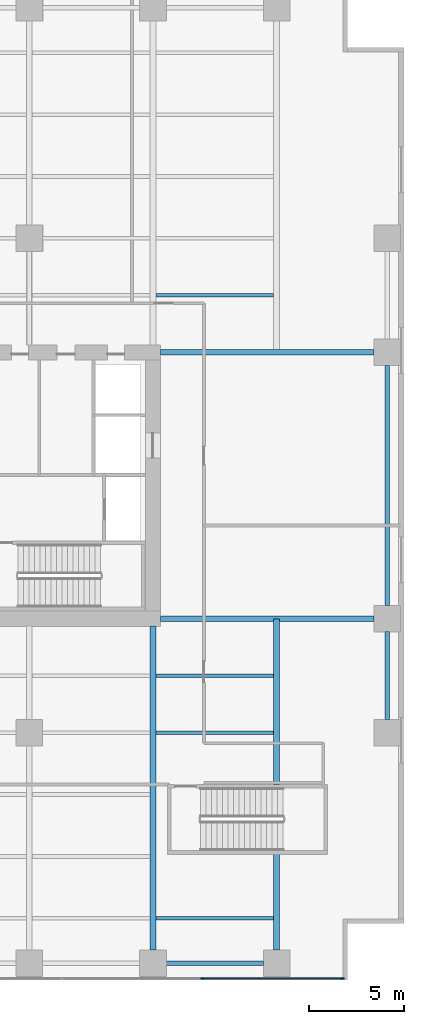
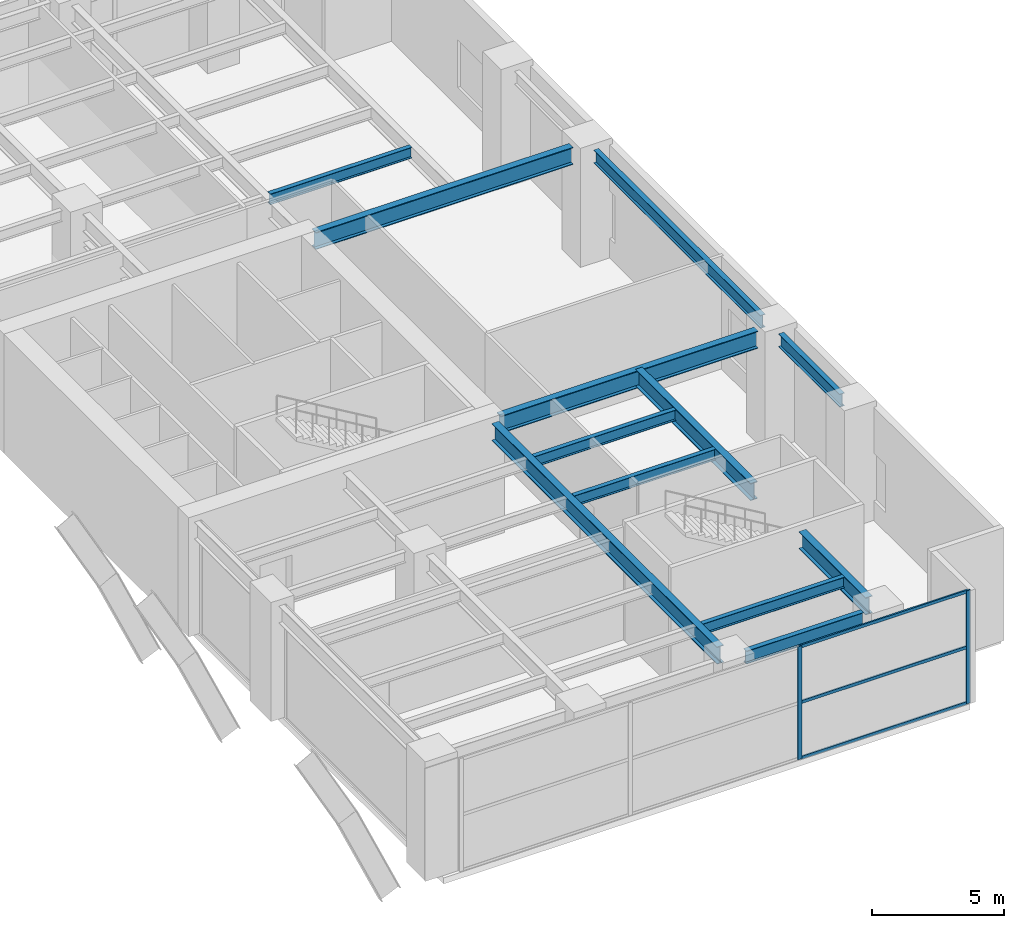
# One storey, part 7 of 17: 12 beams, 5 members, 1 element without a shape of its own.
"""IFC4 building model written with IfcOpenShell, lengths in metres."""

from ifc_helpers import new_model, si_unit, direction, frame, origin, origin_2d, place, context, subcontext, project, spatial, rectangle, i_section, extrude, material, layer, layer_set, material_profile, profile_set, type_object, element, aggregate, save


model = new_model("IFC4")

# Units and contexts
model_context = context("Model", 3, precision=1e-05, world=origin(), true_north=direction((0.0, 1.0)))
body_context = subcontext(model_context, "Body", "Model", "MODEL_VIEW")
ifc_project = project(units=[si_unit("LENGTHUNIT", "METRE"), si_unit("AREAUNIT", "SQUARE_METRE"), si_unit("VOLUMEUNIT", "CUBIC_METRE"), si_unit("PLANEANGLEUNIT", "RADIAN"), si_unit("MASSUNIT", "GRAM", prefix="KILO")], contexts=[model_context])

# Site, building, storey
site_placement = place(None, origin())
site = spatial("IfcSite", under=ifc_project, at=site_placement, CompositionType="ELEMENT")
building_placement = place(site_placement, origin())
building = spatial("IfcBuilding", under=site, at=building_placement, Name="Putna Gate Headquarters", CompositionType="ELEMENT")
storey_placement = place(building_placement, frame((0.0, 0.0, 6.0)))
storey = spatial("IfcBuildingStorey", under=building, at=storey_placement, Name="L01", CompositionType="ELEMENT", Elevation=6.0)

# Beams
ifc_material_1 = material(Name="Steel S355J2", Category="steel")
ifc_material_profile_1 = material_profile(ifc_material_1, i_section(OverallWidth=0.300048828125, OverallDepth=0.800048828125, WebThickness=0.017578125, FlangeThickness=0.032958984375, at=origin_2d()), Name="Steel S355J2")
ifc_profile_set_1 = profile_set([ifc_material_profile_1], Name="Steel S355J2")
beam_type_1 = type_object("IfcBeamType", Name="BM-GIRD-P-HEB800", PredefinedType="USERDEFINED", material=ifc_profile_set_1)
for number, where, z_axis, x_axis, name in (
    (1, (65.385009765625, 19.0, 4.820068359375), (1.0, 0.0, 0.0), (0.0, 1.0, 0.0), "L01 East Wing Girder Y19"),
    (2, (65.385009765625, 33.0, 4.820068359375), (1.0, 0.0, 0.0), (0.0, 1.0, 0.0), "L01 East Wing Girder Y33"),
):
    element("IfcBeam", number, at=place(storey_placement, frame(where, z_axis=z_axis, x_axis=x_axis)), inside=storey, type_object=beam_type_1, Name=name, ObjectType="GIRDER", PredefinedType="USERDEFINED", context=body_context, shape_type="SweptSolid", body=[
        extrude(i_section(OverallWidth=0.300048828125, OverallDepth=0.800048828125, WebThickness=0.017578125, FlangeThickness=0.032958984375, at=origin_2d()), origin(), (0.0, 0.0, 1.0), 11.2470703125),
    ])
beam_1_placement = place(storey_placement, frame((65.0, 1.568115234375, 4.820068359375), z_axis=(0.0, 1.0, 0.0), x_axis=(-1.0, 0.0, 0.0)))
element("IfcBeam", 3, at=beam_1_placement, inside=storey, type_object=beam_type_1, Name="L01 South Primary Girder X65", ObjectType="GIRDER", PredefinedType="USERDEFINED", context=body_context, shape_type="SweptSolid", body=[
    extrude(i_section(OverallWidth=0.300048828125, OverallDepth=0.800048828125, WebThickness=0.017578125, FlangeThickness=0.032958984375, at=origin_2d()), origin(), (0.0, 0.0, 1.0), 17.046875),
])
beam_2_placement = place(storey_placement, frame((71.5, 1.568115234375, 4.820068359375), z_axis=(0.0, 1.0, 0.0), x_axis=(-1.0, 0.0, 0.0)))
element("IfcBeam", 4, at=beam_2_placement, inside=storey, type_object=beam_type_1, Name="L01 South Girder X71-A", ObjectType="GIRDER", PredefinedType="USERDEFINED", context=body_context, shape_type="SweptSolid", body=[
    extrude(i_section(OverallWidth=0.300048828125, OverallDepth=0.800048828125, WebThickness=0.017578125, FlangeThickness=0.032958984375, at=origin_2d()), origin(), (0.0, 0.0, 1.0), 5.056884765625),
])
beam_3_placement = place(storey_placement, frame((71.5, 10.27490234375, 4.820068359375), z_axis=(0.0, 1.0, 0.0), x_axis=(-1.0, 0.0, 0.0)))
element("IfcBeam", 5, at=beam_3_placement, inside=storey, type_object=beam_type_1, Name="L01 South Girder X71-B", ObjectType="GIRDER", PredefinedType="USERDEFINED", context=body_context, shape_type="SweptSolid", body=[
    extrude(i_section(OverallWidth=0.300048828125, OverallDepth=0.800048828125, WebThickness=0.017578125, FlangeThickness=0.032958984375, at=origin_2d()), origin(), (0.0, 0.0, 1.0), 8.713134765625),
])
ifc_material_profile_2 = material_profile(ifc_material_1, i_section(OverallWidth=0.199951171875, OverallDepth=0.5, WebThickness=0.01025390625, FlangeThickness=0.01611328125, at=origin_2d()), Name="Steel S355J2")
ifc_profile_set_2 = profile_set([ifc_material_profile_2], Name="Steel S355J2")
beam_type_2 = type_object("IfcBeamType", Name="BM-SEC-P-IPE500", PredefinedType="BEAM", material=ifc_profile_set_2)
for number, where, z_axis, x_axis, name in (
    (6, (65.154052734375, 3.25, 4.969970703125), (1.0, 0.0, 0.0), (0.0, 1.0, 0.0), "L01 South Secondary Beam 7"),
    (7, (65.154052734375, 13.0, 4.969970703125), (1.0, 0.0, 0.0), (0.0, 1.0, 0.0), "L01 South Secondary Beam 7"),
    (8, (65.154052734375, 16.0, 4.969970703125), (1.0, 0.0, 0.0), (0.0, 1.0, 0.0), "L01 South Secondary Beam 7"),
    (9, (65.154052734375, 36.0, 4.969970703125), (1.0, 0.0, 0.0), (0.0, 1.0, 0.0), "L01 North Secondary Beam 7"),
):
    element("IfcBeam", number, at=place(storey_placement, frame(where, z_axis=z_axis, x_axis=x_axis)), inside=storey, type_object=beam_type_2, Name=name, PredefinedType="BEAM", context=body_context, shape_type="SweptSolid", body=[
        extrude(i_section(OverallWidth=0.199951171875, OverallDepth=0.5, WebThickness=0.01025390625, FlangeThickness=0.01611328125, at=origin_2d()), origin(), (0.0, 0.0, 1.0), 6.19189453125),
    ])
ifc_material_profile_3 = material_profile(ifc_material_1, i_section(OverallWidth=0.219970703125, OverallDepth=0.60009765625, WebThickness=0.011962890625, FlangeThickness=0.01904296875, at=origin_2d()), Name="Steel S355J2")
ifc_profile_set_3 = profile_set([ifc_material_profile_3], Name="Steel S355J2")
beam_type_3 = type_object("IfcBeamType", Name="BM-SPAN-P-IPE600", PredefinedType="SPANDREL", material=ifc_profile_set_3)
beam_4_placement = place(storey_placement, frame((65.68798828125, 0.8798828125, 4.919921875), z_axis=(1.0, 0.0, 0.0), x_axis=(0.0, 1.0, 0.0)))
element("IfcBeam", 10, at=beam_4_placement, inside=storey, type_object=beam_type_3, Name="L01 S Perimeter Spandrel 7", PredefinedType="SPANDREL", context=body_context, shape_type="SweptSolid", body=[
    extrude(i_section(OverallWidth=0.219970703125, OverallDepth=0.60009765625, WebThickness=0.011962890625, FlangeThickness=0.01904296875, at=origin_2d()), origin(), (0.0, 0.0, 1.0), 5.1240234375),
])
beam_5_placement = place(storey_placement, frame((77.320068359375, 13.68798828125, 4.919921875), z_axis=(0.0, 1.0, 0.0), x_axis=(-1.0, 0.0, 0.0)))
element("IfcBeam", 11, at=beam_5_placement, inside=storey, type_object=beam_type_3, Name="L01 E End Spandrel 1", PredefinedType="SPANDREL", context=body_context, shape_type="SweptSolid", body=[
    extrude(i_section(OverallWidth=0.219970703125, OverallDepth=0.60009765625, WebThickness=0.011962890625, FlangeThickness=0.01904296875, at=origin_2d()), origin(), (0.0, 0.0, 1.0), 4.6240234375),
])
beam_6_placement = place(storey_placement, frame((77.320068359375, 19.68798828125, 4.919921875), z_axis=(0.0, 1.0, 0.0), x_axis=(-1.0, 0.0, 0.0)))
element("IfcBeam", 12, at=beam_6_placement, inside=storey, type_object=beam_type_3, Name="L01 E End Spandrel 2", PredefinedType="SPANDREL", context=body_context, shape_type="SweptSolid", body=[
    extrude(i_section(OverallWidth=0.219970703125, OverallDepth=0.60009765625, WebThickness=0.011962890625, FlangeThickness=0.01904296875, at=origin_2d()), origin(), (0.0, 0.0, 1.0), 12.6240234375),
])

# Curtain wall, members
ifc_material_2 = material(Name="Anodised bronze aluminium curtain wall", Category="aluminium")
ifc_layer = layer(ifc_material_2, 0.179931640625)
ifc_layer_set = layer_set([ifc_layer], Name="Anodised bronze aluminium curtain wall")
curtain_wall_type = type_object("IfcCurtainWallType", Name="CW-SYS-POD", PredefinedType="USERDEFINED", material=ifc_layer_set)
curtain_wall_placement = place(storey_placement, origin())
curtain_wall = element("IfcCurtainWall", 13, at=curtain_wall_placement, inside=storey, type_object=curtain_wall_type, Name="L01 South East Curtain Wall", ObjectType="STICK CURTAIN WALL", PredefinedType="USERDEFINED")
ifc_material_3 = material(Name="Anodised bronze aluminium EN AW-6060", Category="aluminium")
ifc_material_profile_4 = material_profile(ifc_material_3, rectangle(XDim=0.070068359375, YDim=0.179931640625, at=origin_2d()), Name="Anodised bronze aluminium EN AW-6060")
ifc_profile_set_4 = profile_set([ifc_material_profile_4], Name="Anodised bronze aluminium EN AW-6060")
member_type_1 = type_object("IfcMemberType", Name="MULL-CWM-P", PredefinedType="MULLION", material=ifc_profile_set_4)
member_1_placement = place(storey_placement, frame((67.59326171875, 0.080078125, 0.0), z_axis=(0.0, 0.0, 1.0), x_axis=(0.0, 1.0, 0.0)))
member_1 = element("IfcMember", 14, at=member_1_placement, type_object=member_type_1, Name="CWS-P mullion 3", PredefinedType="MULLION", context=body_context, shape_type="SweptSolid", body=[
    extrude(rectangle(XDim=0.070068359375, YDim=0.179931640625, at=origin_2d()), origin(), (0.0, 0.0, 1.0), 5.219970703125),
])
member_2_placement = place(storey_placement, frame((74.965087890625, 0.080078125, 0.0), z_axis=(0.0, 0.0, 1.0), x_axis=(0.0, 1.0, 0.0)))
member_2 = element("IfcMember", 15, at=member_2_placement, type_object=member_type_1, Name="CWS-P mullion 4", PredefinedType="MULLION", context=body_context, shape_type="SweptSolid", body=[
    extrude(rectangle(XDim=0.070068359375, YDim=0.179931640625, at=origin_2d()), origin(), (0.0, 0.0, 1.0), 5.219970703125),
])
ifc_material_profile_5 = material_profile(ifc_material_3, rectangle(XDim=0.070068359375, YDim=0.139892578125, at=origin_2d()), Name="Anodised bronze aluminium EN AW-6060")
ifc_profile_set_5 = profile_set([ifc_material_profile_5], Name="Anodised bronze aluminium EN AW-6060")
member_type_2 = type_object("IfcMemberType", Name="TRAN-CWT-P", PredefinedType="USERDEFINED", material=ifc_profile_set_5)
member_3_placement = place(storey_placement, frame((67.62841796875, 0.080078125, 0.034912109375), z_axis=(1.0, 0.0, 0.0), x_axis=(0.0, 1.0, 0.0)))
member_3 = element("IfcMember", 16, at=member_3_placement, type_object=member_type_2, Name="CWS-P transom 3.1", ObjectType="TRANSOM", PredefinedType="USERDEFINED", context=body_context, shape_type="SweptSolid", body=[
    extrude(rectangle(XDim=0.070068359375, YDim=0.139892578125, at=origin_2d()), origin(), (0.0, 0.0, 1.0), 7.301513671875),
])
member_4_placement = place(storey_placement, frame((67.62841796875, 0.080078125, 2.610107421875), z_axis=(1.0, 0.0, 0.0), x_axis=(0.0, 1.0, 0.0)))
member_4 = element("IfcMember", 17, at=member_4_placement, type_object=member_type_2, Name="CWS-P transom 3.2", ObjectType="TRANSOM", PredefinedType="USERDEFINED", context=body_context, shape_type="SweptSolid", body=[
    extrude(rectangle(XDim=0.070068359375, YDim=0.139892578125, at=origin_2d()), origin(), (0.0, 0.0, 1.0), 7.301513671875),
])
member_5_placement = place(storey_placement, frame((67.62841796875, 0.080078125, 5.18505859375), z_axis=(1.0, 0.0, 0.0), x_axis=(0.0, 1.0, 0.0)))
member_5 = element("IfcMember", 18, at=member_5_placement, type_object=member_type_2, Name="CWS-P transom 3.3", ObjectType="TRANSOM", PredefinedType="USERDEFINED", context=body_context, shape_type="SweptSolid", body=[
    extrude(rectangle(XDim=0.070068359375, YDim=0.139892578125, at=origin_2d()), origin(), (0.0, 0.0, 1.0), 7.301513671875),
])
aggregate(curtain_wall, [member_1, member_2, member_3, member_4, member_5])

save(model, "model.ifc")
